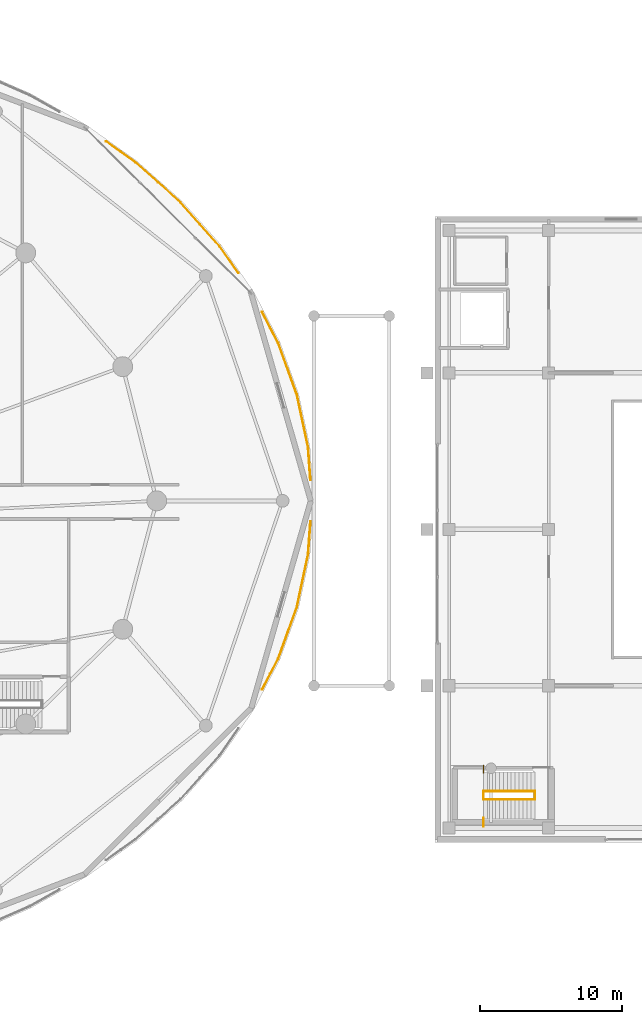
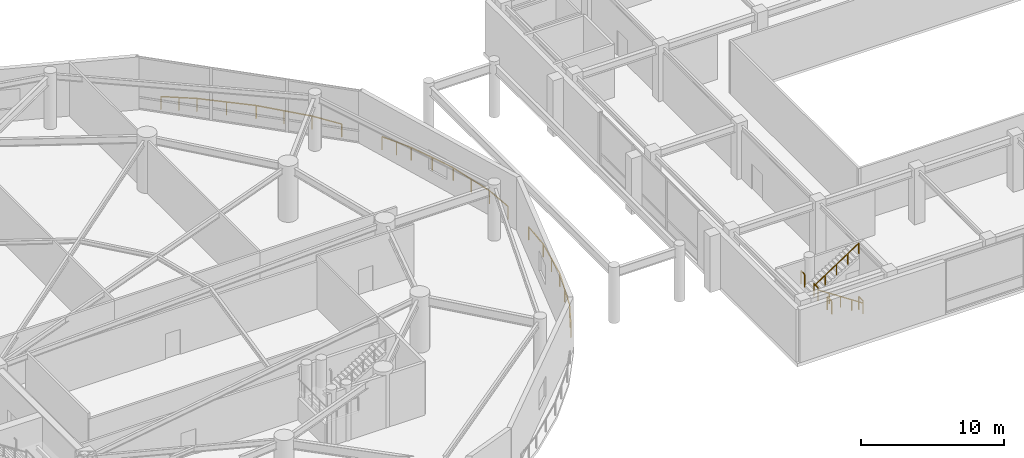
# One storey, part 38 of 40: 9 railings.
"""IFC4 building model written with IfcOpenShell, lengths in metres."""

from ifc_helpers import new_model, si_unit, direction, frame, origin, origin_2d, place, context, subcontext, project, spatial, rectangle, extrude, material, type_object, element, save


model = new_model("IFC4")

# Units and contexts
model_context = context("Model", 3, precision=1e-05, world=origin(), true_north=direction((0.0, 1.0)))
body_context = subcontext(model_context, "Body", "Model", "MODEL_VIEW")
ifc_project = project(units=[si_unit("LENGTHUNIT", "METRE"), si_unit("AREAUNIT", "SQUARE_METRE"), si_unit("VOLUMEUNIT", "CUBIC_METRE"), si_unit("PLANEANGLEUNIT", "RADIAN"), si_unit("MASSUNIT", "GRAM", prefix="KILO")], contexts=[model_context])

# Site, building, storey
site_placement = place(None, origin())
site = spatial("IfcSite", under=ifc_project, at=site_placement, CompositionType="ELEMENT")
building_placement = place(site_placement, origin())
building = spatial("IfcBuilding", under=site, at=building_placement, Name="Kazevale Care Tower and Concert Hall", CompositionType="ELEMENT")
storey_placement = place(building_placement, frame((0.0, 0.0, 4.800048828125)))
storey = spatial("IfcBuildingStorey", under=building, at=storey_placement, Name="L01", CompositionType="ELEMENT", Elevation=4.800048828125)

# Railings
ifc_material_1 = material(Name="Anodised Bronze Aluminium and Laminated Glass", Category="aluminium")
railing_type_1 = type_object("IfcRailingType", Name="Balcony and Terrace Balustrade 1120", PredefinedType="BALUSTRADE", material=ifc_material_1)
railing_1_placement = place(storey_placement, frame((72.89892578125, 63.259033203125, 0.0)))
element("IfcRailing", 1, at=railing_1_placement, inside=storey, type_object=railing_type_1, Name="rail:L01:perim:12", PredefinedType="BALUSTRADE", context=body_context, shape_type="SweptSolid", body=[
    extrude(rectangle(XDim=0.048095703125, YDim=0.048095703125, at=origin_2d()), frame((0.0, 0.0, 1.09619140625), z_axis=(0.815188786096, -0.579195340989, 0.0), x_axis=(0.579195340989, 0.815188786096, 0.0)), (0.0, 0.0, 1.0), 2.53466796875),
    extrude(rectangle(XDim=0.048095703125, YDim=0.048095703125, at=origin_2d()), frame((2.066162109375, -1.468017578125, 1.09619140625), z_axis=(0.746983011463, -0.664843124794, 0.0), x_axis=(0.664843124794, 0.746983011463, 0.0)), (0.0, 0.0, 1.0), 4.2353515625),
    extrude(rectangle(XDim=0.048095703125, YDim=0.048095703125, at=origin_2d()), frame((5.22998046875, -4.283935546875, 1.09619140625), z_axis=(0.665728837253, -0.746193751816, 0.0), x_axis=(0.746193751816, 0.665728837253, 0.0)), (0.0, 0.0, 1.0), 4.12646484375),
    extrude(rectangle(XDim=0.048095703125, YDim=0.048095703125, at=origin_2d()), frame((7.97705078125, -7.363037109375, 1.09619140625), z_axis=(0.570672394322, -0.821177823835, 0.0), x_axis=(0.821177823835, 0.570672394322, 0.0)), (0.0, 0.0, 1.0), 2.299072265625),
    extrude(rectangle(XDim=0.0419921875, YDim=0.0419921875, at=origin_2d()), origin(), (0.0, 0.0, 1.0), 1.072021484375),
    extrude(rectangle(XDim=0.0419921875, YDim=0.0419921875, at=origin_2d()), frame((1.033203125, -0.73388671875, 0.0)), (0.0, 0.0, 1.0), 1.072021484375),
    extrude(rectangle(XDim=0.0419921875, YDim=0.0419921875, at=origin_2d()), frame((2.066162109375, -1.468017578125, 0.0)), (0.0, 0.0, 1.0), 1.072021484375),
    extrude(rectangle(XDim=0.0419921875, YDim=0.0419921875, at=origin_2d()), frame((3.64794921875, -2.8759765625, 0.0)), (0.0, 0.0, 1.0), 1.072021484375),
    extrude(rectangle(XDim=0.0419921875, YDim=0.0419921875, at=origin_2d()), frame((5.22998046875, -4.283935546875, 0.0)), (0.0, 0.0, 1.0), 1.072021484375),
    extrude(rectangle(XDim=0.0419921875, YDim=0.0419921875, at=origin_2d()), frame((6.603515625, -5.823486328125, 0.0)), (0.0, 0.0, 1.0), 1.072021484375),
    extrude(rectangle(XDim=0.0419921875, YDim=0.0419921875, at=origin_2d()), frame((7.97705078125, -7.363037109375, 0.0)), (0.0, 0.0, 1.0), 1.072021484375),
    extrude(rectangle(XDim=0.0419921875, YDim=0.0419921875, at=origin_2d()), frame((9.2890625, -9.2509765625, 0.0)), (0.0, 0.0, 1.0), 1.072021484375),
])
railing_2_placement = place(storey_placement, frame((83.864013671875, 51.261962890625, 0.0)))
element("IfcRailing", 2, at=railing_2_placement, inside=storey, type_object=railing_type_1, Name="rail:L01:perim:13", PredefinedType="BALUSTRADE", context=body_context, shape_type="SweptSolid", body=[
    extrude(rectangle(XDim=0.048095703125, YDim=0.048095703125, at=origin_2d()), frame((0.0, 0.0, 1.09619140625), z_axis=(0.462140207553, -0.88680687219, 0.0), x_axis=(0.88680687219, 0.462140207553, 0.0)), (0.0, 0.0, 1.0), 2.43017578125),
    extrude(rectangle(XDim=0.048095703125, YDim=0.048095703125, at=origin_2d()), frame((1.123046875, -2.155029296875, 1.09619140625), z_axis=(0.340410185576, -0.940277036599, 0.0), x_axis=(0.940277036599, 0.340410185576, 0.0)), (0.0, 0.0, 1.0), 3.854248046875),
    extrude(rectangle(XDim=0.048095703125, YDim=0.048095703125, at=origin_2d()), frame((2.43505859375, -5.779052734375, 1.09619140625), z_axis=(0.20907738305, -0.977899099037, 0.0), x_axis=(0.977899099037, 0.20907738305, 0.0)), (0.0, 0.0, 1.0), 3.802001953125),
    extrude(rectangle(XDim=0.048095703125, YDim=0.048095703125, at=origin_2d()), frame((3.22998046875, -9.4970703125, 1.09619140625), z_axis=(0.070459951237, -0.997514609052, 0.0), x_axis=(0.997514609052, 0.070459951237, 0.0)), (0.0, 0.0, 1.0), 2.314697265625),
    extrude(rectangle(XDim=0.0419921875, YDim=0.0419921875, at=origin_2d()), origin(), (0.0, 0.0, 1.0), 1.072021484375),
    extrude(rectangle(XDim=0.0419921875, YDim=0.0419921875, at=origin_2d()), frame((0.5615234375, -1.07763671875, 0.0)), (0.0, 0.0, 1.0), 1.072021484375),
    extrude(rectangle(XDim=0.0419921875, YDim=0.0419921875, at=origin_2d()), frame((1.123046875, -2.155029296875, 0.0)), (0.0, 0.0, 1.0), 1.072021484375),
    extrude(rectangle(XDim=0.0419921875, YDim=0.0419921875, at=origin_2d()), frame((1.779052734375, -3.967041015625, 0.0)), (0.0, 0.0, 1.0), 1.072021484375),
    extrude(rectangle(XDim=0.0419921875, YDim=0.0419921875, at=origin_2d()), frame((2.43505859375, -5.779052734375, 0.0)), (0.0, 0.0, 1.0), 1.072021484375),
    extrude(rectangle(XDim=0.0419921875, YDim=0.0419921875, at=origin_2d()), frame((2.83251953125, -7.63818359375, 0.0)), (0.0, 0.0, 1.0), 1.072021484375),
    extrude(rectangle(XDim=0.0419921875, YDim=0.0419921875, at=origin_2d()), frame((3.22998046875, -9.4970703125, 0.0)), (0.0, 0.0, 1.0), 1.072021484375),
    extrude(rectangle(XDim=0.0419921875, YDim=0.0419921875, at=origin_2d()), frame((3.39306640625, -11.805908203125, 0.0)), (0.0, 0.0, 1.0), 1.072021484375),
])
railing_3_placement = place(storey_placement, frame((87.257080078125, 36.54296875, 0.0)))
element("IfcRailing", 3, at=railing_3_placement, inside=storey, type_object=railing_type_1, Name="rail:L01:perim:14", PredefinedType="BALUSTRADE", context=body_context, shape_type="SweptSolid", body=[
    extrude(rectangle(XDim=0.048095703125, YDim=0.048095703125, at=origin_2d()), frame((0.0, 0.0, 1.09619140625), z_axis=(-0.070489617977, -0.997512513083, 0.0), x_axis=(0.997512513083, -0.070489617977, 0.0)), (0.0, 0.0, 1.0), 2.313720703125),
    extrude(rectangle(XDim=0.048095703125, YDim=0.048095703125, at=origin_2d()), frame((-0.1630859375, -2.307861328125, 1.09619140625), z_axis=(-0.20907738305, -0.977899099037, 0.0), x_axis=(0.977899099037, -0.20907738305, 0.0)), (0.0, 0.0, 1.0), 3.802001953125),
    extrude(rectangle(XDim=0.048095703125, YDim=0.048095703125, at=origin_2d()), frame((-0.9580078125, -6.02587890625, 1.09619140625), z_axis=(-0.340410185576, -0.940277036599, 0.0), x_axis=(0.940277036599, -0.340410185576, 0.0)), (0.0, 0.0, 1.0), 3.854248046875),
    extrude(rectangle(XDim=0.048095703125, YDim=0.048095703125, at=origin_2d()), frame((-2.27001953125, -9.64990234375, 1.09619140625), z_axis=(-0.462140207553, -0.88680687219, 0.0), x_axis=(0.88680687219, -0.462140207553, 0.0)), (0.0, 0.0, 1.0), 2.43017578125),
    extrude(rectangle(XDim=0.0419921875, YDim=0.0419921875, at=origin_2d()), origin(), (0.0, 0.0, 1.0), 1.072021484375),
    extrude(rectangle(XDim=0.0419921875, YDim=0.0419921875, at=origin_2d()), frame((-0.1630859375, -2.307861328125, 0.0)), (0.0, 0.0, 1.0), 1.072021484375),
    extrude(rectangle(XDim=0.0419921875, YDim=0.0419921875, at=origin_2d()), frame((-0.560546875, -4.1669921875, 0.0)), (0.0, 0.0, 1.0), 1.072021484375),
    extrude(rectangle(XDim=0.0419921875, YDim=0.0419921875, at=origin_2d()), frame((-0.9580078125, -6.02587890625, 0.0)), (0.0, 0.0, 1.0), 1.072021484375),
    extrude(rectangle(XDim=0.0419921875, YDim=0.0419921875, at=origin_2d()), frame((-1.614013671875, -7.837890625, 0.0)), (0.0, 0.0, 1.0), 1.072021484375),
    extrude(rectangle(XDim=0.0419921875, YDim=0.0419921875, at=origin_2d()), frame((-2.27001953125, -9.64990234375, 0.0)), (0.0, 0.0, 1.0), 1.072021484375),
    extrude(rectangle(XDim=0.0419921875, YDim=0.0419921875, at=origin_2d()), frame((-2.83154296875, -10.7275390625, 0.0)), (0.0, 0.0, 1.0), 1.072021484375),
    extrude(rectangle(XDim=0.0419921875, YDim=0.0419921875, at=origin_2d()), frame((-3.39306640625, -11.804931640625, 0.0)), (0.0, 0.0, 1.0), 1.072021484375),
])
ifc_material_2 = material(Name="Stainless Steel 316", Category="steel")
railing_type_2 = type_object("IfcRailingType", Name="Stair Pitch Handrail 920", PredefinedType="HANDRAIL", material=ifc_material_2)
railing_4_placement = place(storey_placement, frame((103.050048828125, 17.010009765625, 0.0)))
element("IfcRailing", 4, at=railing_4_placement, inside=storey, type_object=railing_type_2, Name="stair:L01:ST4:hr1", PredefinedType="HANDRAIL", context=body_context, shape_type="SweptSolid", body=[
    extrude(rectangle(XDim=0.048095703125, YDim=0.048095703125, at=origin_2d()), frame((0.0, 0.0, 0.89599609375), z_axis=(-0.83488217925, 0.0, 0.55042869363), x_axis=(0.0, -1.0, 0.0)), (0.0, 0.0, 1.0), 4.360107421875),
    extrude(rectangle(XDim=0.0419921875, YDim=0.0419921875, at=origin_2d()), origin(), (0.0, 0.0, 1.0), 0.871826171875),
    extrude(rectangle(XDim=0.0419921875, YDim=0.0419921875, at=origin_2d()), frame((-0.91015625, 0.0, 0.60009765625)), (0.0, 0.0, 1.0), 0.871826171875),
    extrude(rectangle(XDim=0.0419921875, YDim=0.0419921875, at=origin_2d()), frame((-1.820068359375, 0.0, 1.199951171875)), (0.0, 0.0, 1.0), 0.871826171875),
    extrude(rectangle(XDim=0.0419921875, YDim=0.0419921875, at=origin_2d()), frame((-2.72998046875, 0.0, 1.7998046875)), (0.0, 0.0, 1.0), 0.871826171875),
    extrude(rectangle(XDim=0.0419921875, YDim=0.0419921875, at=origin_2d()), frame((-3.64013671875, 0.0, 2.39990234375)), (0.0, 0.0, 1.0), 0.871826171875),
])
railing_5_placement = place(storey_placement, frame((99.409912109375, 17.590087890625, 2.39990234375)))
element("IfcRailing", 5, at=railing_5_placement, inside=storey, type_object=railing_type_2, Name="stair:L01:ST4:hr2", PredefinedType="HANDRAIL", context=body_context, shape_type="SweptSolid", body=[
    extrude(rectangle(XDim=0.048095703125, YDim=0.048095703125, at=origin_2d()), frame((0.0, 0.0, 0.89599609375), z_axis=(0.834856447115, 0.0, 0.55046772177), x_axis=(0.0, 1.0, 0.0)), (0.0, 0.0, 1.0), 4.360107421875),
    extrude(rectangle(XDim=0.0419921875, YDim=0.0419921875, at=origin_2d()), origin(), (0.0, 0.0, 1.0), 0.871826171875),
    extrude(rectangle(XDim=0.0419921875, YDim=0.0419921875, at=origin_2d()), frame((0.91015625, 0.0, 0.60009765625)), (0.0, 0.0, 1.0), 0.871826171875),
    extrude(rectangle(XDim=0.0419921875, YDim=0.0419921875, at=origin_2d()), frame((1.820068359375, 0.0, 1.2001953125)), (0.0, 0.0, 1.0), 0.871826171875),
    extrude(rectangle(XDim=0.0419921875, YDim=0.0419921875, at=origin_2d()), frame((2.72998046875, 0.0, 1.800048828125)), (0.0, 0.0, 1.0), 0.871826171875),
    extrude(rectangle(XDim=0.0419921875, YDim=0.0419921875, at=origin_2d()), frame((3.64013671875, 0.0, 2.400146484375)), (0.0, 0.0, 1.0), 0.871826171875),
])
railing_type_3 = type_object("IfcRailingType", Name="Stair Well Guard Balustrade 1120", PredefinedType="BALUSTRADE", material=ifc_material_2)
railing_6_placement = place(storey_placement, frame((99.409912109375, 15.10009765625, 2.39990234375)))
element("IfcRailing", 6, at=railing_6_placement, inside=storey, type_object=railing_type_3, Name="stair:L01:ST4:grd_side1", PredefinedType="BALUSTRADE", context=body_context, shape_type="SweptSolid", body=[
    extrude(rectangle(XDim=0.048095703125, YDim=0.048095703125, at=origin_2d()), frame((0.0, 0.0, 1.09619140625), z_axis=(0.0, 1.0, 0.0), x_axis=(-1.0, 0.0, 0.0)), (0.0, 0.0, 1.0), 0.60986328125),
    extrude(rectangle(XDim=0.0419921875, YDim=0.0419921875, at=origin_2d()), origin(), (0.0, 0.0, 1.0), 1.072021484375),
    extrude(rectangle(XDim=0.0419921875, YDim=0.0419921875, at=origin_2d()), frame((0.0, 0.60986328125, 0.0)), (0.0, 0.0, 1.0), 1.072021484375),
])
railing_7_placement = place(storey_placement, frame((99.409912109375, 18.889892578125, 2.39990234375)))
element("IfcRailing", 7, at=railing_7_placement, inside=storey, type_object=railing_type_3, Name="stair:L01:ST4:grd_side2", PredefinedType="BALUSTRADE", context=body_context, shape_type="SweptSolid", body=[
    extrude(rectangle(XDim=0.048095703125, YDim=0.048095703125, at=origin_2d()), frame((0.0, 0.0, 1.09619140625), z_axis=(0.0, 1.0, 0.0), x_axis=(-1.0, 0.0, 0.0)), (0.0, 0.0, 1.0), 0.510009765625),
    extrude(rectangle(XDim=0.0419921875, YDim=0.0419921875, at=origin_2d()), origin(), (0.0, 0.0, 1.0), 1.072021484375),
    extrude(rectangle(XDim=0.0419921875, YDim=0.0419921875, at=origin_2d()), frame((0.0, 0.510009765625, 0.0)), (0.0, 0.0, 1.0), 1.072021484375),
])
for number, where, name in (
    (8, (99.409912109375, 17.010009765625, 2.39990234375), "stair:L01:ST4:grd_mid"),
    (9, (103.050048828125, 17.010009765625, 0.0), "stair:L01:ST4:grd_flr"),
):
    element("IfcRailing", number, at=place(storey_placement, frame(where)), inside=storey, type_object=railing_type_3, Name=name, PredefinedType="BALUSTRADE", context=body_context, shape_type="SweptSolid", body=[
        extrude(rectangle(XDim=0.048095703125, YDim=0.048095703125, at=origin_2d()), frame((0.0, 0.0, 1.09619140625), z_axis=(0.0, 1.0, 0.0), x_axis=(-1.0, 0.0, 0.0)), (0.0, 0.0, 1.0), 0.580078125),
        extrude(rectangle(XDim=0.0419921875, YDim=0.0419921875, at=origin_2d()), origin(), (0.0, 0.0, 1.0), 1.072021484375),
        extrude(rectangle(XDim=0.0419921875, YDim=0.0419921875, at=origin_2d()), frame((0.0, 0.580078125, 0.0)), (0.0, 0.0, 1.0), 1.072021484375),
    ])

save(model, "model.ifc")
